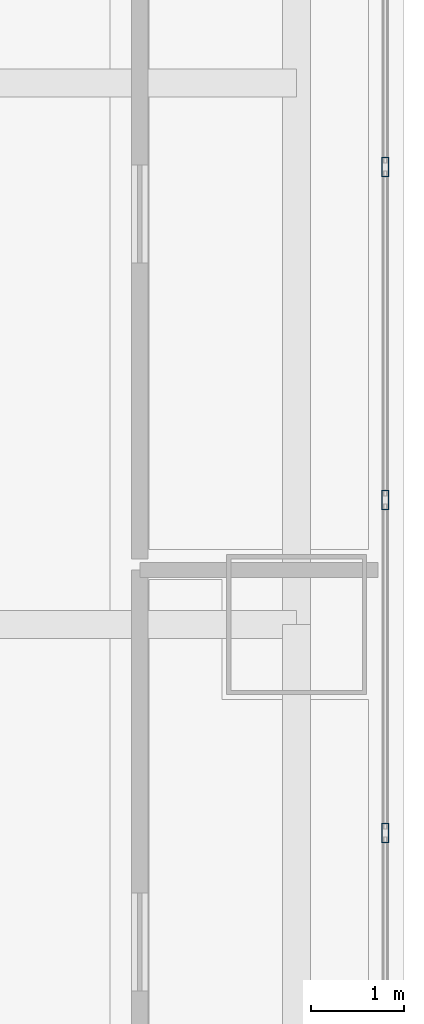
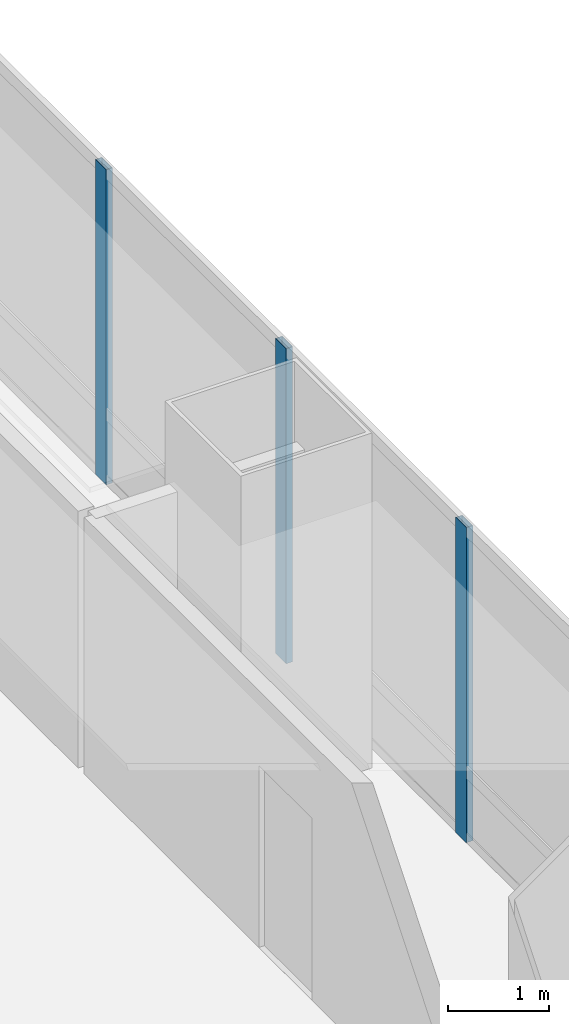
# One storey, part 17 of 36: 3 members, 1 element without a shape of its own.
"""IFC4 building model written with IfcOpenShell, lengths in metres."""

from ifc_helpers import new_model, si_unit, direction, frame, origin, origin_2d, place, context, subcontext, project, spatial, hollow_rectangle, extrude, material, material_profile, profile_set, type_object, element, aggregate, save


model = new_model("IFC4")

# Units and contexts
model_context = context("Model", 3, precision=1e-05, world=origin(), true_north=direction((0.0, 1.0)))
body_context = subcontext(model_context, "Body", "Model", "MODEL_VIEW")
ifc_project = project(units=[si_unit("LENGTHUNIT", "METRE"), si_unit("AREAUNIT", "SQUARE_METRE"), si_unit("VOLUMEUNIT", "CUBIC_METRE"), si_unit("PLANEANGLEUNIT", "RADIAN"), si_unit("MASSUNIT", "GRAM", prefix="KILO")], contexts=[model_context])

# Site, building, storey
site_placement = place(None, origin())
site = spatial("IfcSite", under=ifc_project, at=site_placement, CompositionType="ELEMENT")
building_placement = place(site_placement, origin())
building = spatial("IfcBuilding", under=site, at=building_placement, Name="Punatoya Terracotta Tower", CompositionType="ELEMENT")
storey_placement = place(building_placement, frame((0.0, 0.0, 36.300048828125)))
storey = spatial("IfcBuildingStorey", under=building, at=storey_placement, Name="L07", CompositionType="ELEMENT", Elevation=36.300048828125)

# Curtain wall, members
ifc_material_1 = material(Name="Aluminium 6063-T6 + Double Low-E Glass", Category="aluminium")
curtain_wall_type = type_object("IfcCurtainWallType", Name="CW-M1", PredefinedType="NOTDEFINED", material=ifc_material_1)
curtain_wall_placement = place(storey_placement, origin())
curtain_wall = element("IfcCurtainWall", 1, at=curtain_wall_placement, inside=storey, type_object=curtain_wall_type, Name="L07 Curtain Wall CW-L07-E05-1", PredefinedType="NOTDEFINED")
ifc_material_2 = material(Name="Aluminium 6063-T6", Category="aluminium")
ifc_material_profile = material_profile(ifc_material_2, hollow_rectangle(XDim=0.074951171875, YDim=0.2099609375, WallThickness=0.00439453125, at=origin_2d()))
ifc_profile_set = profile_set([ifc_material_profile], Name="Aluminium 6063-T6")
member_type = type_object("IfcMemberType", Name="CW-MUL-M1", PredefinedType="MULLION", material=ifc_profile_set)
member_1_placement = place(storey_placement, frame((20.050048828125, 1.16748046875, 0.0), z_axis=(0.0, 0.0, 1.0), x_axis=(1.0, 0.0, 0.0)))
member_1 = element("IfcMember", 2, at=member_1_placement, type_object=member_type, Name="CW-L07-E05-1 Mullion 06", PredefinedType="MULLION", context=body_context, shape_type="SweptSolid", body=[
    extrude(hollow_rectangle(XDim=0.074951171875, YDim=0.2099609375, WallThickness=0.00439453125, at=origin_2d()), origin(), (0.0, 0.0, 1.0), 3.81005859375),
])
member_2_placement = place(storey_placement, frame((20.050048828125, 4.73486328125, 0.0), z_axis=(0.0, 0.0, 1.0), x_axis=(1.0, 0.0, 0.0)))
member_2 = element("IfcMember", 3, at=member_2_placement, type_object=member_type, Name="CW-L07-E05-1 Mullion 07", PredefinedType="MULLION", context=body_context, shape_type="SweptSolid", body=[
    extrude(hollow_rectangle(XDim=0.074951171875, YDim=0.2099609375, WallThickness=0.00439453125, at=origin_2d()), origin(), (0.0, 0.0, 1.0), 3.81005859375),
])
member_3_placement = place(storey_placement, frame((20.050048828125, 8.302001953125, 0.0), z_axis=(0.0, 0.0, 1.0), x_axis=(1.0, 0.0, 0.0)))
member_3 = element("IfcMember", 4, at=member_3_placement, type_object=member_type, Name="CW-L07-E05-1 Mullion 08", PredefinedType="MULLION", context=body_context, shape_type="SweptSolid", body=[
    extrude(hollow_rectangle(XDim=0.074951171875, YDim=0.2099609375, WallThickness=0.00439453125, at=origin_2d()), origin(), (0.0, 0.0, 1.0), 3.81005859375),
])
aggregate(curtain_wall, [member_1, member_2, member_3])

save(model, "model.ifc")
